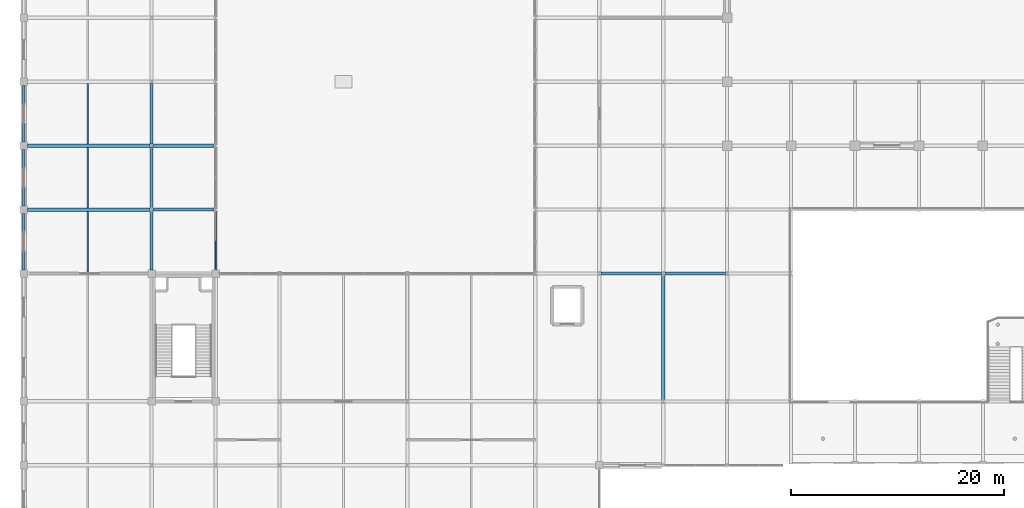
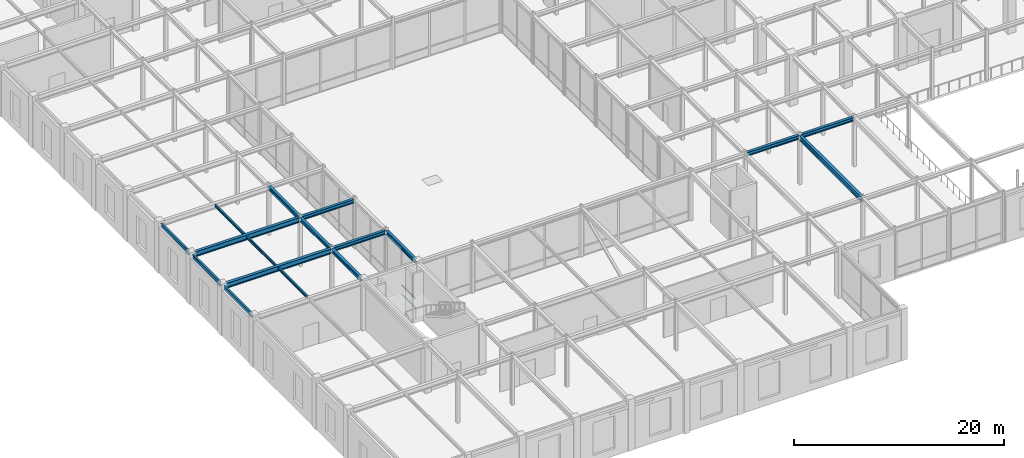
# One storey, part 41 of 108: 17 beams, 3 members, 1 element without a shape of its own.
"""IFC4 building model written with IfcOpenShell, lengths in metres."""

from ifc_helpers import new_model, si_unit, direction, frame, origin, origin_2d, place, context, subcontext, project, spatial, hollow_rectangle, i_section, extrude, material, layer, layer_set, material_profile, profile_set, type_object, element, aggregate, save


model = new_model("IFC4")

# Units and contexts
model_context = context("Model", 3, precision=1e-05, world=origin(), true_north=direction((0.0, 1.0)))
body_context = subcontext(model_context, "Body", "Model", "MODEL_VIEW")
ifc_project = project(units=[si_unit("LENGTHUNIT", "METRE"), si_unit("AREAUNIT", "SQUARE_METRE"), si_unit("VOLUMEUNIT", "CUBIC_METRE"), si_unit("PLANEANGLEUNIT", "RADIAN"), si_unit("MASSUNIT", "GRAM", prefix="KILO")], contexts=[model_context])

# Site, building, storey
site_placement = place(None, origin())
site = spatial("IfcSite", under=ifc_project, at=site_placement, CompositionType="ELEMENT")
building_placement = place(site_placement, origin())
building = spatial("IfcBuilding", under=site, at=building_placement, Name="Zlatovratsky Civic Hall", CompositionType="ELEMENT")
storey_placement = place(building_placement, frame((0.0, 0.0, 6.0)))
storey = spatial("IfcBuildingStorey", under=building, at=storey_placement, Name="L02", CompositionType="ELEMENT", Elevation=6.0)

# Beams
ifc_material_1 = material(Name="Steel S355", Category="steel")
ifc_material_profile_1 = material_profile(ifc_material_1, i_section(OverallWidth=0.320068359375, OverallDepth=0.58203125, WebThickness=0.011962890625, FlangeThickness=0.01708984375, FilletRadius=0.02392578125, at=origin_2d()), Name="60Sh1")
ifc_profile_set_1 = profile_set([ifc_material_profile_1], Name="Steel S355")
beam_type_1 = type_object("IfcBeamType", Name="Beam_PodiumGirder_60Sh1", PredefinedType="BEAM", material=ifc_profile_set_1)
for number, where, z_axis, x_axis, name in (
    (1, (0.35009765625, 36.0, 5.468994140625), (1.0, 0.0, 0.0), (0.0, 1.0, 0.0), "BM-1801"),
    (2, (0.35009765625, 42.0, 5.468994140625), (1.0, 0.0, 0.0), (0.0, 1.0, 0.0), "BM-1817"),
):
    element("IfcBeam", number, at=place(storey_placement, frame(where, z_axis=z_axis, x_axis=x_axis)), inside=storey, type_object=beam_type_1, Name=name, PredefinedType="BEAM", context=body_context, shape_type="SweptSolid", body=[
        extrude(i_section(OverallWidth=0.320068359375, OverallDepth=0.58203125, WebThickness=0.011962890625, FlangeThickness=0.01708984375, FilletRadius=0.02392578125, at=origin_2d()), origin(), (0.0, 0.0, 1.0), 11.5),
    ])
beam_1_placement = place(storey_placement, frame((60.0, 18.14990234375, 5.468994140625), z_axis=(0.0, 1.0, 0.0), x_axis=(-1.0, 0.0, 0.0)))
element("IfcBeam", 3, at=beam_1_placement, inside=storey, type_object=beam_type_1, Name="BM-2165", PredefinedType="BEAM", context=body_context, shape_type="SweptSolid", body=[
    extrude(i_section(OverallWidth=0.320068359375, OverallDepth=0.58203125, WebThickness=0.011962890625, FlangeThickness=0.01708984375, FilletRadius=0.02392578125, at=origin_2d()), origin(), (0.0, 0.0, 1.0), 11.7001953125),
])
ifc_material_profile_2 = material_profile(ifc_material_1, i_section(OverallWidth=0.198974609375, OverallDepth=0.491943359375, WebThickness=0.0087890625, FlangeThickness=0.011962890625, FilletRadius=0.01611328125, at=origin_2d()), Name="50B1")
ifc_profile_set_2 = profile_set([ifc_material_profile_2], Name="Steel S355")
beam_type_2 = type_object("IfcBeamType", Name="Beam_Spandrel_50B1", PredefinedType="SPANDREL", material=ifc_profile_set_2)
for number, where, z_axis, x_axis, name in (
    (4, (0.0, 30.35009765625, 5.513916015625), (0.0, 1.0, 0.0), (-1.0, 0.0, 0.0), "BM-2060"),
    (5, (0.0, 36.35009765625, 5.513916015625), (0.0, 1.0, 0.0), (-1.0, 0.0, 0.0), "BM-2061"),
    (6, (0.0, 42.35009765625, 5.513916015625), (0.0, 1.0, 0.0), (-1.0, 0.0, 0.0), "BM-2062"),
):
    element("IfcBeam", number, at=place(storey_placement, frame(where, z_axis=z_axis, x_axis=x_axis)), inside=storey, type_object=beam_type_2, Name=name, PredefinedType="SPANDREL", context=body_context, shape_type="SweptSolid", body=[
        extrude(i_section(OverallWidth=0.198974609375, OverallDepth=0.491943359375, WebThickness=0.0087890625, FlangeThickness=0.011962890625, FilletRadius=0.01611328125, at=origin_2d()), origin(), (0.0, 0.0, 1.0), 5.2998046875),
    ])
ifc_material_profile_3 = material_profile(ifc_material_1, i_section(OverallWidth=0.300048828125, OverallDepth=0.43994140625, WebThickness=0.010986328125, FlangeThickness=0.01806640625, FilletRadius=0.02197265625, at=origin_2d()), Name="45Sh1")
ifc_profile_set_3 = profile_set([ifc_material_profile_3], Name="Steel S355")
beam_type_3 = type_object("IfcBeamType", Name="Beam_TowerLow_45Sh1", PredefinedType="BEAM", material=ifc_profile_set_3)
for number, where, z_axis, x_axis, name in (
    (7, (54.14990234375, 30.0, 5.5400390625), (1.0, 0.0, 0.0), (0.0, 1.0, 0.0), "BM-1789"),
    (8, (60.14990234375, 30.0, 5.5400390625), (1.0, 0.0, 0.0), (0.0, 1.0, 0.0), "BM-1790"),
    (9, (12.14990234375, 36.0, 5.5400390625), (1.0, 0.0, 0.0), (0.0, 1.0, 0.0), "BM-1802"),
    (10, (12.14990234375, 42.0, 5.5400390625), (1.0, 0.0, 0.0), (0.0, 1.0, 0.0), "BM-1818"),
):
    element("IfcBeam", number, at=place(storey_placement, frame(where, z_axis=z_axis, x_axis=x_axis)), inside=storey, type_object=beam_type_3, Name=name, PredefinedType="BEAM", context=body_context, shape_type="SweptSolid", body=[
        extrude(i_section(OverallWidth=0.300048828125, OverallDepth=0.43994140625, WebThickness=0.010986328125, FlangeThickness=0.01806640625, FilletRadius=0.02197265625, at=origin_2d()), origin(), (0.0, 0.0, 1.0), 5.7001953125),
    ])
beam_2_placement = place(storey_placement, frame((12.0, 30.35009765625, 5.5400390625), z_axis=(0.0, 1.0, 0.0), x_axis=(-1.0, 0.0, 0.0)))
element("IfcBeam", 11, at=beam_2_placement, inside=storey, type_object=beam_type_3, Name="BM-2077", PredefinedType="BEAM", context=body_context, shape_type="SweptSolid", body=[
    extrude(i_section(OverallWidth=0.300048828125, OverallDepth=0.43994140625, WebThickness=0.010986328125, FlangeThickness=0.01806640625, FilletRadius=0.02197265625, at=origin_2d()), origin(), (0.0, 0.0, 1.0), 5.5),
])
for number, where, z_axis, x_axis, name in (
    (12, (12.0, 36.14990234375, 5.5400390625), (0.0, 1.0, 0.0), (-1.0, 0.0, 0.0), "BM-2078"),
    (13, (12.0, 42.14990234375, 5.5400390625), (0.0, 1.0, 0.0), (-1.0, 0.0, 0.0), "BM-2079"),
):
    element("IfcBeam", number, at=place(storey_placement, frame(where, z_axis=z_axis, x_axis=x_axis)), inside=storey, type_object=beam_type_3, Name=name, PredefinedType="BEAM", context=body_context, shape_type="SweptSolid", body=[
        extrude(i_section(OverallWidth=0.300048828125, OverallDepth=0.43994140625, WebThickness=0.010986328125, FlangeThickness=0.01806640625, FilletRadius=0.02197265625, at=origin_2d()), origin(), (0.0, 0.0, 1.0), 5.7001953125),
    ])
beam_3_placement = place(storey_placement, frame((18.0, 30.35009765625, 5.5400390625), z_axis=(0.0, 1.0, 0.0), x_axis=(-1.0, 0.0, 0.0)))
element("IfcBeam", 14, at=beam_3_placement, inside=storey, type_object=beam_type_3, Name="BM-2094", PredefinedType="BEAM", context=body_context, shape_type="SweptSolid", body=[
    extrude(i_section(OverallWidth=0.300048828125, OverallDepth=0.43994140625, WebThickness=0.010986328125, FlangeThickness=0.01806640625, FilletRadius=0.02197265625, at=origin_2d()), origin(), (0.0, 0.0, 1.0), 5.5),
])

# Curtain wall, members
ifc_material_2 = material(Name="Anodised bronze aluminium", Category="aluminium")
ifc_layer = layer(ifc_material_2, 0.159912109375)
ifc_layer_set = layer_set([ifc_layer], Name="Anodised bronze aluminium")
curtain_wall_type = type_object("IfcCurtainWallType", Name="CurtainWall_Bronze_5500x5310_04", PredefinedType="NOTDEFINED", material=ifc_layer_set)
curtain_wall_placement = place(storey_placement, origin())
curtain_wall = element("IfcCurtainWall", 15, at=curtain_wall_placement, inside=storey, type_object=curtain_wall_type, Name="CW-015", PredefinedType="NOTDEFINED")
ifc_material_profile_4 = material_profile(ifc_material_2, hollow_rectangle(XDim=0.06005859375, YDim=0.1201171875, WallThickness=0.00390625, at=origin_2d()), Name="ALU 60x120x4")
ifc_profile_set_4 = profile_set([ifc_material_profile_4], Name="Anodised bronze aluminium")
member_type = type_object("IfcMemberType", Name="CW_Transom_60x120", PredefinedType="USERDEFINED", material=ifc_profile_set_4)
member_1_placement = place(storey_placement, frame((18.0, 30.409912109375, 0.030029296875), z_axis=(0.0, 1.0, 0.0), x_axis=(-1.0, 0.0, 0.0)))
member_1 = element("IfcMember", 16, at=member_1_placement, type_object=member_type, Name="CW-04 transom 1.1", ObjectType="TRANSOM", PredefinedType="USERDEFINED", context=body_context, shape_type="SweptSolid", body=[
    extrude(hollow_rectangle(XDim=0.06005859375, YDim=0.1201171875, WallThickness=0.00390625, at=origin_2d()), origin(), (0.0, 0.0, 1.0), 2.66015625),
])
member_2_placement = place(storey_placement, frame((18.0, 30.409912109375, 1.10009765625), z_axis=(0.0, 1.0, 0.0), x_axis=(-1.0, 0.0, 0.0)))
member_2 = element("IfcMember", 17, at=member_2_placement, type_object=member_type, Name="CW-04 transom 1.2", ObjectType="TRANSOM", PredefinedType="USERDEFINED", context=body_context, shape_type="SweptSolid", body=[
    extrude(hollow_rectangle(XDim=0.06005859375, YDim=0.1201171875, WallThickness=0.00390625, at=origin_2d()), origin(), (0.0, 0.0, 1.0), 2.66015625),
])
member_3_placement = place(storey_placement, frame((18.0, 30.409912109375, 5.280029296875), z_axis=(0.0, 1.0, 0.0), x_axis=(-1.0, 0.0, 0.0)))
member_3 = element("IfcMember", 18, at=member_3_placement, type_object=member_type, Name="CW-04 transom 1.3", ObjectType="TRANSOM", PredefinedType="USERDEFINED", context=body_context, shape_type="SweptSolid", body=[
    extrude(hollow_rectangle(XDim=0.06005859375, YDim=0.1201171875, WallThickness=0.00390625, at=origin_2d()), origin(), (0.0, 0.0, 1.0), 2.66015625),
])
aggregate(curtain_wall, [member_1, member_2, member_3])

# Beams
ifc_material_profile_5 = material_profile(ifc_material_1, i_section(OverallWidth=0.14990234375, OverallDepth=0.300048828125, WebThickness=0.006591796875, FlangeThickness=0.009033203125, FilletRadius=0.012939453125, at=origin_2d()), Name="30B2")
ifc_profile_set_5 = profile_set([ifc_material_profile_5], Name="Steel S355")
beam_type_4 = type_object("IfcBeamType", Name="Joist_Podium_30B2", PredefinedType="JOIST", material=ifc_profile_set_5)
for number, where, z_axis, x_axis, name in (
    (19, (6.0, 30.159912109375, 5.610107421875), (0.0, 1.0, 0.0), (-1.0, 0.0, 0.0), "BM-2407"),
    (20, (6.0, 36.159912109375, 5.610107421875), (0.0, 1.0, 0.0), (-1.0, 0.0, 0.0), "BM-2409"),
    (21, (6.0, 42.159912109375, 5.610107421875), (0.0, 1.0, 0.0), (-1.0, 0.0, 0.0), "BM-2411"),
):
    element("IfcBeam", number, at=place(storey_placement, frame(where, z_axis=z_axis, x_axis=x_axis)), inside=storey, type_object=beam_type_4, Name=name, PredefinedType="JOIST", context=body_context, shape_type="SweptSolid", body=[
        extrude(i_section(OverallWidth=0.14990234375, OverallDepth=0.300048828125, WebThickness=0.006591796875, FlangeThickness=0.009033203125, FilletRadius=0.012939453125, at=origin_2d()), origin(), (0.0, 0.0, 1.0), 5.68017578125),
    ])

save(model, "model.ifc")
